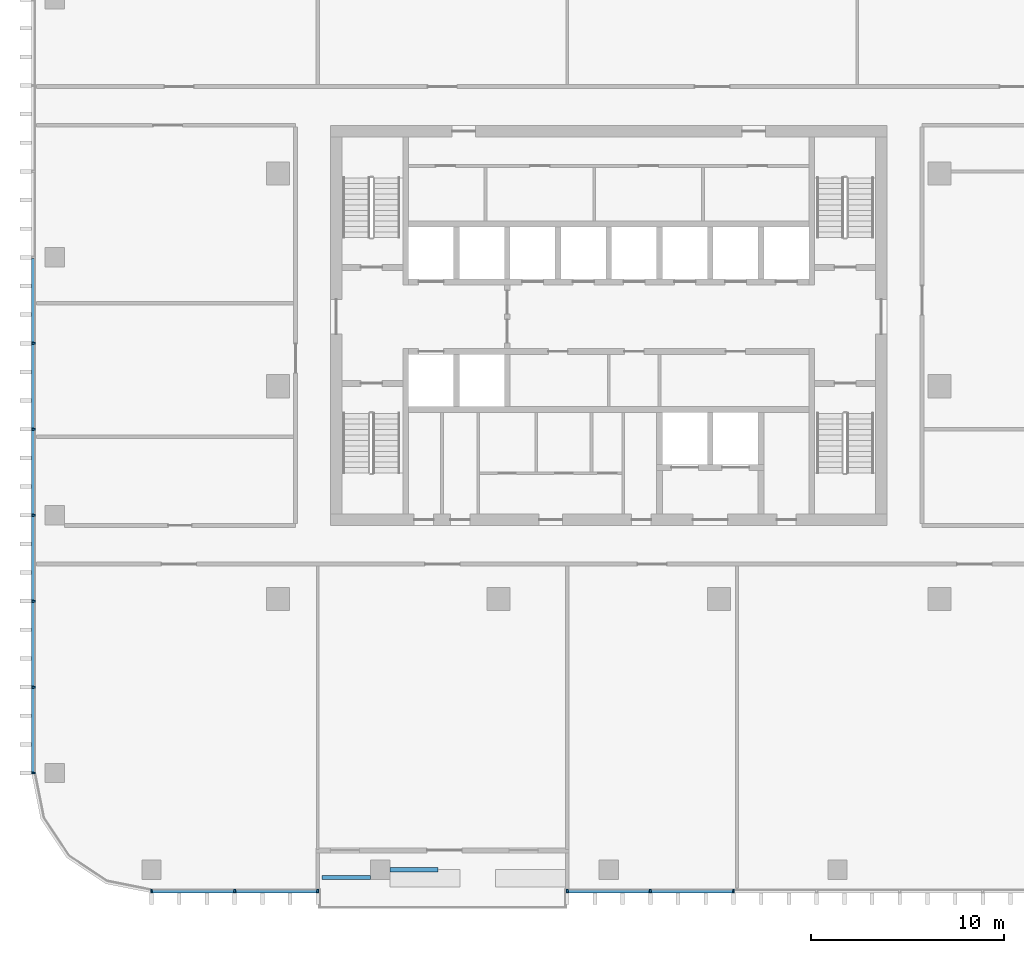
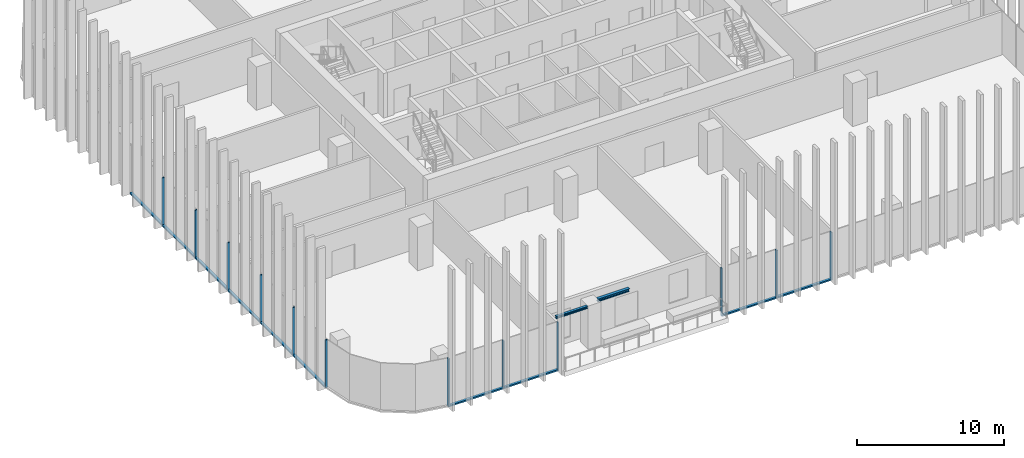
# One storey, part 2 of 16: 22 members, 2 beams, 3 elements without a shape of their own.
"""IFC4 building model written with IfcOpenShell, lengths in metres."""

from ifc_helpers import new_model, si_unit, direction, frame, origin, origin_2d, place, context, subcontext, project, spatial, rectangle, i_section, extrude, material, material_profile, profile_set, type_object, element, aggregate, save


model = new_model("IFC4")

# Units and contexts
model_context = context("Model", 3, precision=1e-05, world=origin(), true_north=direction((0.0, 1.0)))
body_context = subcontext(model_context, "Body", "Model", "MODEL_VIEW")
ifc_project = project(units=[si_unit("LENGTHUNIT", "METRE"), si_unit("AREAUNIT", "SQUARE_METRE"), si_unit("VOLUMEUNIT", "CUBIC_METRE"), si_unit("PLANEANGLEUNIT", "RADIAN"), si_unit("MASSUNIT", "GRAM", prefix="KILO")], contexts=[model_context])

# Site, building, storey
site_placement = place(None, origin())
site = spatial("IfcSite", under=ifc_project, at=site_placement, CompositionType="ELEMENT")
building_placement = place(site_placement, origin())
building = spatial("IfcBuilding", under=site, at=building_placement, Name="Mopane Tessera Tower", CompositionType="ELEMENT")
storey_placement = place(building_placement, frame((0.0, 0.0, 303.39990234375)))
storey = spatial("IfcBuildingStorey", under=building, at=storey_placement, Name="L66", CompositionType="ELEMENT", Elevation=303.39990234375)

# Curtain wall, members
ifc_material_1 = material(Name="Aluminium frame", Category="aluminium")
curtain_wall_type = type_object("IfcCurtainWallType", Name="Unitised curtain wall", PredefinedType="NOTDEFINED", material=ifc_material_1)
curtain_wall_1_placement = place(storey_placement, origin())
curtain_wall_1 = element("IfcCurtainWall", 1, at=curtain_wall_1_placement, inside=storey, type_object=curtain_wall_type, Name="e:cw:L66:S:0", PredefinedType="NOTDEFINED")
ifc_material_2 = material(Name="Aluminium frame", Category="aluminium")
ifc_material_profile_1 = material_profile(ifc_material_2, rectangle(XDim=0.10009765625, YDim=0.199951171875, at=origin_2d()))
ifc_profile_set_1 = profile_set([ifc_material_profile_1], Name="Aluminium frame")
member_type_1 = type_object("IfcMemberType", Name="Aluminium mullion 100 x 200", PredefinedType="MULLION", material=ifc_profile_set_1)
member_1_placement = place(storey_placement, frame((-23.64990234375, -26.10009765625, -0.39990234375), z_axis=(0.0, 0.0, 1.0), x_axis=(1.0, 0.0, 0.0)))
member_1 = element("IfcMember", 2, at=member_1_placement, type_object=member_type_1, Name="e:cw:L66:S:0:mu0", PredefinedType="MULLION", context=body_context, shape_type="SweptSolid", body=[
    extrude(rectangle(XDim=0.10009765625, YDim=0.199951171875, at=origin_2d()), origin(), (0.0, 0.0, 1.0), 4.0),
])
member_2_placement = place(storey_placement, frame((-19.35009765625, -26.10009765625, -0.39990234375), z_axis=(0.0, 0.0, 1.0), x_axis=(1.0, 0.0, 0.0)))
member_2 = element("IfcMember", 3, at=member_2_placement, type_object=member_type_1, Name="e:cw:L66:S:0:mu1", PredefinedType="MULLION", context=body_context, shape_type="SweptSolid", body=[
    extrude(rectangle(XDim=0.10009765625, YDim=0.199951171875, at=origin_2d()), origin(), (0.0, 0.0, 1.0), 4.0),
])
member_3_placement = place(storey_placement, frame((-15.050048828125, -26.10009765625, -0.39990234375), z_axis=(0.0, 0.0, 1.0), x_axis=(1.0, 0.0, 0.0)))
member_3 = element("IfcMember", 4, at=member_3_placement, type_object=member_type_1, Name="e:cw:L66:S:0:mu2", PredefinedType="MULLION", context=body_context, shape_type="SweptSolid", body=[
    extrude(rectangle(XDim=0.10009765625, YDim=0.199951171875, at=origin_2d()), origin(), (0.0, 0.0, 1.0), 4.0),
])

curtain_wall_2_placement = place(storey_placement, origin())
curtain_wall_2 = element("IfcCurtainWall", 5, at=curtain_wall_2_placement, inside=storey, type_object=curtain_wall_type, Name="e:cw:L66:S:5", PredefinedType="NOTDEFINED")
member_4_placement = place(storey_placement, frame((-2.14990234375, -26.10009765625, -0.39990234375), z_axis=(0.0, 0.0, 1.0), x_axis=(1.0, 0.0, 0.0)))
member_4 = element("IfcMember", 6, at=member_4_placement, type_object=member_type_1, Name="e:cw:L66:S:5:mu5", PredefinedType="MULLION", context=body_context, shape_type="SweptSolid", body=[
    extrude(rectangle(XDim=0.10009765625, YDim=0.199951171875, at=origin_2d()), origin(), (0.0, 0.0, 1.0), 4.0),
])
member_5_placement = place(storey_placement, frame((2.14990234375, -26.10009765625, -0.39990234375), z_axis=(0.0, 0.0, 1.0), x_axis=(1.0, 0.0, 0.0)))
member_5 = element("IfcMember", 7, at=member_5_placement, type_object=member_type_1, Name="e:cw:L66:S:5:mu6", PredefinedType="MULLION", context=body_context, shape_type="SweptSolid", body=[
    extrude(rectangle(XDim=0.10009765625, YDim=0.199951171875, at=origin_2d()), origin(), (0.0, 0.0, 1.0), 4.0),
])
member_6_placement = place(storey_placement, frame((6.449951171875, -26.10009765625, -0.39990234375), z_axis=(0.0, 0.0, 1.0), x_axis=(1.0, 0.0, 0.0)))
member_6 = element("IfcMember", 8, at=member_6_placement, type_object=member_type_1, Name="e:cw:L66:S:5:mu7", PredefinedType="MULLION", context=body_context, shape_type="SweptSolid", body=[
    extrude(rectangle(XDim=0.10009765625, YDim=0.199951171875, at=origin_2d()), origin(), (0.0, 0.0, 1.0), 4.0),
])

curtain_wall_3_placement = place(storey_placement, origin())
curtain_wall_3 = element("IfcCurtainWall", 9, at=curtain_wall_3_placement, inside=storey, type_object=curtain_wall_type, Name="e:cw:L66:W:0", PredefinedType="NOTDEFINED")
member_7_placement = place(storey_placement, frame((-29.75, 2.22216796875, -0.39990234375), z_axis=(0.0, 0.0, 1.0), x_axis=(0.0, -1.0, 0.0)))
member_7 = element("IfcMember", 10, at=member_7_placement, type_object=member_type_1, Name="e:cw:L66:W:0:mu4", PredefinedType="MULLION", context=body_context, shape_type="SweptSolid", body=[
    extrude(rectangle(XDim=0.10009765625, YDim=0.199951171875, at=origin_2d()), origin(), (0.0, 0.0, 1.0), 4.0),
])
member_8_placement = place(storey_placement, frame((-29.75, -2.22216796875, -0.39990234375), z_axis=(0.0, 0.0, 1.0), x_axis=(0.0, -1.0, 0.0)))
member_8 = element("IfcMember", 11, at=member_8_placement, type_object=member_type_1, Name="e:cw:L66:W:0:mu5", PredefinedType="MULLION", context=body_context, shape_type="SweptSolid", body=[
    extrude(rectangle(XDim=0.10009765625, YDim=0.199951171875, at=origin_2d()), origin(), (0.0, 0.0, 1.0), 4.0),
])
member_9_placement = place(storey_placement, frame((-29.75, -6.666748046875, -0.39990234375), z_axis=(0.0, 0.0, 1.0), x_axis=(0.0, -1.0, 0.0)))
member_9 = element("IfcMember", 12, at=member_9_placement, type_object=member_type_1, Name="e:cw:L66:W:0:mu6", PredefinedType="MULLION", context=body_context, shape_type="SweptSolid", body=[
    extrude(rectangle(XDim=0.10009765625, YDim=0.199951171875, at=origin_2d()), origin(), (0.0, 0.0, 1.0), 4.0),
])
member_10_placement = place(storey_placement, frame((-29.75, -11.111083984375, -0.39990234375), z_axis=(0.0, 0.0, 1.0), x_axis=(0.0, -1.0, 0.0)))
member_10 = element("IfcMember", 13, at=member_10_placement, type_object=member_type_1, Name="e:cw:L66:W:0:mu7", PredefinedType="MULLION", context=body_context, shape_type="SweptSolid", body=[
    extrude(rectangle(XDim=0.10009765625, YDim=0.199951171875, at=origin_2d()), origin(), (0.0, 0.0, 1.0), 4.0),
])
member_11_placement = place(storey_placement, frame((-29.75, -15.5556640625, -0.39990234375), z_axis=(0.0, 0.0, 1.0), x_axis=(0.0, -1.0, 0.0)))
member_11 = element("IfcMember", 14, at=member_11_placement, type_object=member_type_1, Name="e:cw:L66:W:0:mu8", PredefinedType="MULLION", context=body_context, shape_type="SweptSolid", body=[
    extrude(rectangle(XDim=0.10009765625, YDim=0.199951171875, at=origin_2d()), origin(), (0.0, 0.0, 1.0), 4.0),
])
member_12_placement = place(storey_placement, frame((-29.75, -20.0, -0.39990234375), z_axis=(0.0, 0.0, 1.0), x_axis=(0.0, -1.0, 0.0)))
member_12 = element("IfcMember", 15, at=member_12_placement, type_object=member_type_1, Name="e:cw:L66:W:0:mu9", PredefinedType="MULLION", context=body_context, shape_type="SweptSolid", body=[
    extrude(rectangle(XDim=0.10009765625, YDim=0.199951171875, at=origin_2d()), origin(), (0.0, 0.0, 1.0), 4.0),
])

# Member
ifc_material_3 = material(Name="Aluminium frame", Category="aluminium")
ifc_material_profile_2 = material_profile(ifc_material_3, rectangle(XDim=0.199951171875, YDim=0.1201171875, at=origin_2d()))
ifc_profile_set_2 = profile_set([ifc_material_profile_2], Name="Aluminium frame")
member_type_2 = type_object("IfcMemberType", Name="Aluminium transom 200 x 120", PredefinedType="USERDEFINED", material=ifc_profile_set_2)
member_13_placement = place(storey_placement, frame((-23.60009765625, -26.10009765625, -0.33984375), z_axis=(1.0, 0.0, 0.0), x_axis=(0.0, 1.0, 0.0)))
member_13 = element("IfcMember", 16, at=member_13_placement, type_object=member_type_2, Name="e:cw:L66:S:0:tr0", ObjectType="TRANSOM", PredefinedType="USERDEFINED", context=body_context, shape_type="SweptSolid", body=[
    extrude(rectangle(XDim=0.199951171875, YDim=0.1201171875, at=origin_2d()), origin(), (0.0, 0.0, 1.0), 4.2001953125),
])

member_14_placement = place(storey_placement, frame((-19.300048828125, -26.10009765625, -0.33984375), z_axis=(1.0, 0.0, 0.0), x_axis=(0.0, 1.0, 0.0)))
member_14 = element("IfcMember", 17, at=member_14_placement, type_object=member_type_2, Name="e:cw:L66:S:0:tr1", ObjectType="TRANSOM", PredefinedType="USERDEFINED", context=body_context, shape_type="SweptSolid", body=[
    extrude(rectangle(XDim=0.199951171875, YDim=0.1201171875, at=origin_2d()), origin(), (0.0, 0.0, 1.0), 4.199951171875),
])

aggregate(curtain_wall_1, [member_1, member_2, member_3, member_13, member_14])

member_15_placement = place(storey_placement, frame((-2.10009765625, -26.10009765625, -0.33984375), z_axis=(1.0, 0.0, 0.0), x_axis=(0.0, 1.0, 0.0)))
member_15 = element("IfcMember", 18, at=member_15_placement, type_object=member_type_2, Name="e:cw:L66:S:5:tr5", ObjectType="TRANSOM", PredefinedType="USERDEFINED", context=body_context, shape_type="SweptSolid", body=[
    extrude(rectangle(XDim=0.199951171875, YDim=0.1201171875, at=origin_2d()), origin(), (0.0, 0.0, 1.0), 4.2001953125),
])

member_16_placement = place(storey_placement, frame((2.199951171875, -26.10009765625, -0.33984375), z_axis=(1.0, 0.0, 0.0), x_axis=(0.0, 1.0, 0.0)))
member_16 = element("IfcMember", 19, at=member_16_placement, type_object=member_type_2, Name="e:cw:L66:S:5:tr6", ObjectType="TRANSOM", PredefinedType="USERDEFINED", context=body_context, shape_type="SweptSolid", body=[
    extrude(rectangle(XDim=0.199951171875, YDim=0.1201171875, at=origin_2d()), origin(), (0.0, 0.0, 1.0), 4.199951171875),
])

aggregate(curtain_wall_2, [member_4, member_5, member_6, member_15, member_16])

member_17_placement = place(storey_placement, frame((-29.75, 6.61669921875, -0.33984375), z_axis=(0.0, -1.0, 0.0), x_axis=(1.0, 0.0, 0.0)))
member_17 = element("IfcMember", 20, at=member_17_placement, type_object=member_type_2, Name="e:cw:L66:W:0:tr3", ObjectType="TRANSOM", PredefinedType="USERDEFINED", context=body_context, shape_type="SweptSolid", body=[
    extrude(rectangle(XDim=0.199951171875, YDim=0.1201171875, at=origin_2d()), origin(), (0.0, 0.0, 1.0), 4.344482421875),
])

member_18_placement = place(storey_placement, frame((-29.75, 2.172119140625, -0.33984375), z_axis=(0.0, -1.0, 0.0), x_axis=(1.0, 0.0, 0.0)))
member_18 = element("IfcMember", 21, at=member_18_placement, type_object=member_type_2, Name="e:cw:L66:W:0:tr4", ObjectType="TRANSOM", PredefinedType="USERDEFINED", context=body_context, shape_type="SweptSolid", body=[
    extrude(rectangle(XDim=0.199951171875, YDim=0.1201171875, at=origin_2d()), origin(), (0.0, 0.0, 1.0), 4.34423828125),
])

member_19_placement = place(storey_placement, frame((-29.75, -2.272216796875, -0.33984375), z_axis=(0.0, -1.0, 0.0), x_axis=(1.0, 0.0, 0.0)))
member_19 = element("IfcMember", 22, at=member_19_placement, type_object=member_type_2, Name="e:cw:L66:W:0:tr5", ObjectType="TRANSOM", PredefinedType="USERDEFINED", context=body_context, shape_type="SweptSolid", body=[
    extrude(rectangle(XDim=0.199951171875, YDim=0.1201171875, at=origin_2d()), origin(), (0.0, 0.0, 1.0), 4.344482421875),
])

member_20_placement = place(storey_placement, frame((-29.75, -6.716552734375, -0.33984375), z_axis=(0.0, -1.0, 0.0), x_axis=(1.0, 0.0, 0.0)))
member_20 = element("IfcMember", 23, at=member_20_placement, type_object=member_type_2, Name="e:cw:L66:W:0:tr6", ObjectType="TRANSOM", PredefinedType="USERDEFINED", context=body_context, shape_type="SweptSolid", body=[
    extrude(rectangle(XDim=0.199951171875, YDim=0.1201171875, at=origin_2d()), origin(), (0.0, 0.0, 1.0), 4.344482421875),
])

member_21_placement = place(storey_placement, frame((-29.75, -11.1611328125, -0.33984375), z_axis=(0.0, -1.0, 0.0), x_axis=(1.0, 0.0, 0.0)))
member_21 = element("IfcMember", 24, at=member_21_placement, type_object=member_type_2, Name="e:cw:L66:W:0:tr7", ObjectType="TRANSOM", PredefinedType="USERDEFINED", context=body_context, shape_type="SweptSolid", body=[
    extrude(rectangle(XDim=0.199951171875, YDim=0.1201171875, at=origin_2d()), origin(), (0.0, 0.0, 1.0), 4.344482421875),
])

member_22_placement = place(storey_placement, frame((-29.75, -15.60546875, -0.33984375), z_axis=(0.0, -1.0, 0.0), x_axis=(1.0, 0.0, 0.0)))
member_22 = element("IfcMember", 25, at=member_22_placement, type_object=member_type_2, Name="e:cw:L66:W:0:tr8", ObjectType="TRANSOM", PredefinedType="USERDEFINED", context=body_context, shape_type="SweptSolid", body=[
    extrude(rectangle(XDim=0.199951171875, YDim=0.1201171875, at=origin_2d()), origin(), (0.0, 0.0, 1.0), 4.344482421875),
])

aggregate(curtain_wall_3, [member_7, member_8, member_9, member_10, member_11, member_12, member_17, member_18, member_19, member_20, member_21, member_22])

# Beams
ifc_material_4 = material(Name="Structural steel S460", Category="steel")
ifc_material_profile_3 = material_profile(ifc_material_4, i_section(OverallWidth=0.239990234375, OverallDepth=0.239990234375, WebThickness=0.010009765625, FlangeThickness=0.01708984375, FilletRadius=0.02099609375, at=origin_2d()))
ifc_profile_set_3 = profile_set([ifc_material_profile_3], Name="Structural steel S460")
beam_type_1 = type_object("IfcBeamType", Name="Terrace spandrel beam HE 240 B", PredefinedType="SPANDREL", material=ifc_profile_set_3)
beam_1_placement = place(storey_placement, frame((-11.322021484375, -25.0, 3.47998046875), z_axis=(1.0, 0.0, 0.0), x_axis=(0.0, 1.0, 0.0)))
element("IfcBeam", 26, at=beam_1_placement, inside=storey, type_object=beam_type_1, Name="Terrace spandrel beam N3 L67", PredefinedType="SPANDREL", context=body_context, shape_type="SweptSolid", body=[
    extrude(i_section(OverallWidth=0.239990234375, OverallDepth=0.239990234375, WebThickness=0.010009765625, FlangeThickness=0.01708984375, FilletRadius=0.02099609375, at=origin_2d()), origin(), (0.0, 0.0, 1.0), 2.5),
])
ifc_material_5 = material(Name="Structural steel S460", Category="steel")
ifc_material_profile_4 = material_profile(ifc_material_5, i_section(OverallWidth=0.199951171875, OverallDepth=0.199951171875, WebThickness=0.009033203125, FlangeThickness=0.014892578125, FilletRadius=0.01806640625, at=origin_2d()))
ifc_profile_set_4 = profile_set([ifc_material_profile_4], Name="Structural steel S460")
beam_type_2 = type_object("IfcBeamType", Name="Terrace trimmer beam HE 200 B", PredefinedType="BEAM", material=ifc_profile_set_4)
beam_2_placement = place(storey_placement, frame((-12.327880859375, -25.39990234375, 3.5), z_axis=(-1.0, 0.0, 0.0), x_axis=(0.0, -1.0, 0.0)))
element("IfcBeam", 27, at=beam_2_placement, inside=storey, type_object=beam_type_2, Name="Terrace trimmer beam N3 L67", PredefinedType="BEAM", context=body_context, shape_type="SweptSolid", body=[
    extrude(i_section(OverallWidth=0.199951171875, OverallDepth=0.199951171875, WebThickness=0.009033203125, FlangeThickness=0.014892578125, FilletRadius=0.01806640625, at=origin_2d()), origin(), (0.0, 0.0, 1.0), 2.5),
])

save(model, "model.ifc")
